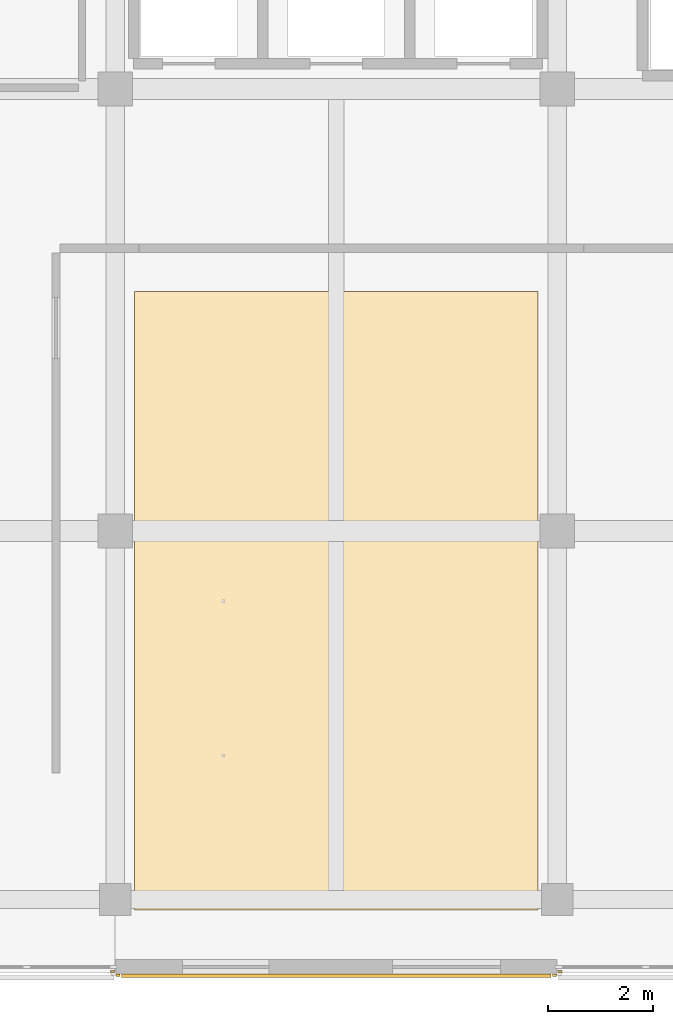
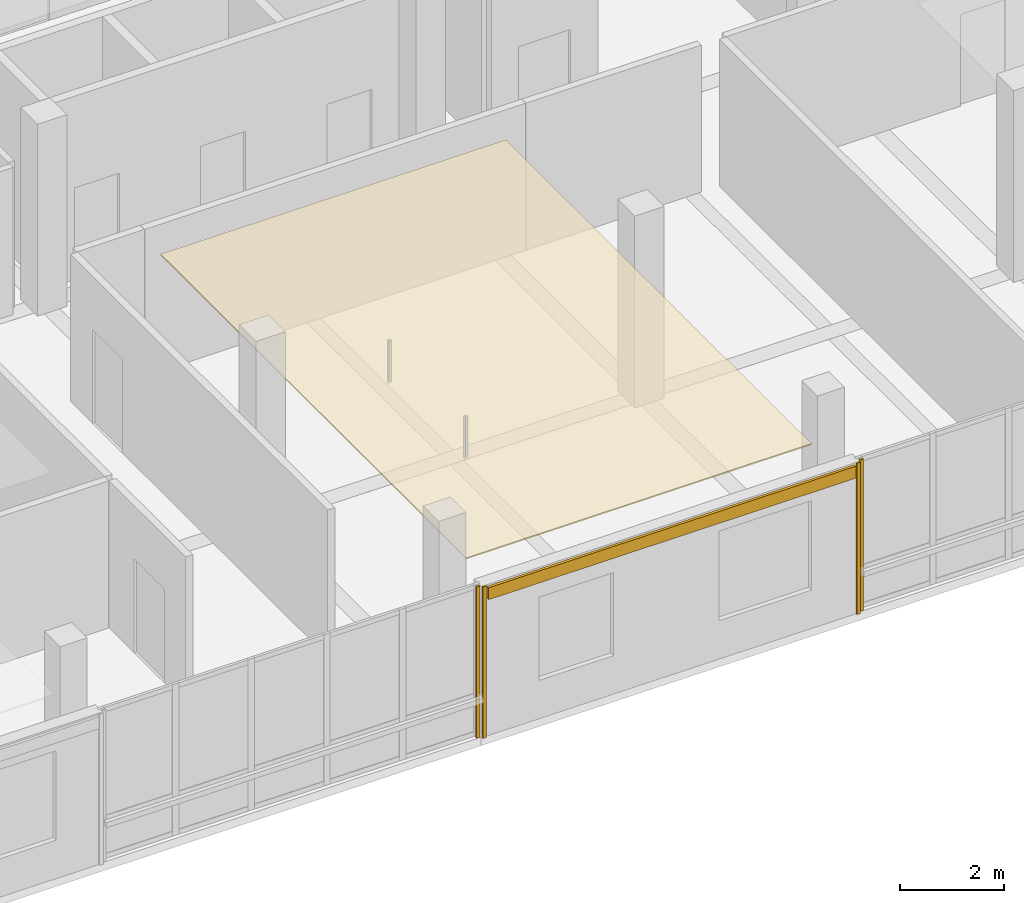
# One storey, part 23 of 30: 6 coverings.
"""IFC4 building model written with IfcOpenShell, lengths in metres."""

from ifc_helpers import new_model, si_unit, direction, frame, origin, origin_2d, place, context, subcontext, project, spatial, polyline, rectangle, outline, extrude, material, layer, layer_set, type_object, element, save


model = new_model("IFC4")

# Units and contexts
model_context = context("Model", 3, precision=1e-05, world=origin(), true_north=direction((0.0, 1.0)))
body_context = subcontext(model_context, "Body", "Model", "MODEL_VIEW")
ifc_project = project(units=[si_unit("LENGTHUNIT", "METRE"), si_unit("AREAUNIT", "SQUARE_METRE"), si_unit("VOLUMEUNIT", "CUBIC_METRE"), si_unit("PLANEANGLEUNIT", "RADIAN"), si_unit("MASSUNIT", "GRAM", prefix="KILO")], contexts=[model_context])

# Site, building, storey
site_placement = place(None, origin())
site = spatial("IfcSite", under=ifc_project, at=site_placement, CompositionType="ELEMENT")
building_placement = place(site_placement, origin())
building = spatial("IfcBuilding", under=site, at=building_placement, Name="Telukmera Botanical Conservatory", CompositionType="ELEMENT")
storey_placement = place(building_placement, frame((0.0, 0.0, 60.0)))
storey = spatial("IfcBuildingStorey", under=building, at=storey_placement, Name="L13", CompositionType="ELEMENT", Elevation=60.0)

# Coverings
ifc_material_1 = material(Name="Mineral fibre acoustic ceiling")
ifc_layer_1 = layer(ifc_material_1, 0.030029296875)
ifc_layer_set_1 = layer_set([ifc_layer_1], Name="Mineral fibre acoustic ceiling")
covering_type_1 = type_object("IfcCoveringType", Name="COV-CEIL-30", PredefinedType="CEILING", material=ifc_layer_set_1)
covering_1_placement = place(storey_placement, frame((0.0, 0.0, 3.320068359375)))
element("IfcCovering", 1, at=covering_1_placement, inside=storey, type_object=covering_type_1, Name="L13 Restoration Ecology Research Laboratory Suspended Acoustic Ceiling", PredefinedType="CEILING", context=body_context, shape_type="SweptSolid", body=[
    extrude(outline(polyline([(75.969970703125, 10.39990234375), (83.6298828125, 10.39990234375), (83.6298828125, 22.14990234375), (75.969970703125, 22.14990234375), (75.969970703125, 10.39990234375)])), origin(), (0.0, 0.0, 1.0), 0.030029296875),
])
ifc_material_2 = material(Name="Granite-faced precast concrete C40/50", Category="masonry")
ifc_layer_2 = layer(ifc_material_2, 0.0400390625)
ifc_layer_set_2 = layer_set([ifc_layer_2], Name="Granite-faced precast concrete C40/50")
covering_type_2 = type_object("IfcCoveringType", Name="Granite Precast Column Pier Reveal Casing", PredefinedType="CLADDING", material=ifc_layer_set_2)
for number, where, z_axis, x_axis, name in (
    (2, (75.548095703125, 9.22998046875, 0.0), (0.0, 0.0, 1.0), (1.0, 0.0, 0.0), "Granite Pier Reveal V4:L13:S2 R"),
    (3, (75.652099609375, 9.159912109375, 0.0), (0.0, 0.0, 1.0), (1.0, 0.0, 0.0), "Granite Pier Reveal V4:L13:S3 L"),
    (4, (83.947998046875, 9.159912109375, 0.0), (0.0, 0.0, 1.0), (1.0, 0.0, 0.0), "Granite Pier Reveal V4:L13:S3 R"),
    (5, (84.052001953125, 9.22998046875, 0.0), (0.0, 0.0, 1.0), (1.0, 0.0, 0.0), "Granite Pier Reveal V4:L13:S4 L"),
):
    element("IfcCovering", number, at=place(storey_placement, frame(where, z_axis=z_axis, x_axis=x_axis)), inside=storey, type_object=covering_type_2, Name=name, PredefinedType="CLADDING", context=body_context, shape_type="SweptSolid", body=[
        extrude(rectangle(XDim=0.080078125, YDim=0.0400390625, at=origin_2d()), origin(), (0.0, 0.0, 1.0), 3.550048828125),
    ])
ifc_material_3 = material(Name="Terracotta-faced precast concrete C40/50", Category="masonry")
ifc_layer_3 = layer(ifc_material_3, 0.06005859375)
ifc_layer_set_3 = layer_set([ifc_layer_3], Name="Terracotta-faced precast concrete C40/50")
covering_type_3 = type_object("IfcCoveringType", Name="Polychrome Terracotta Facade Band Cladding", PredefinedType="CLADDING", material=ifc_layer_set_3)
covering_2_placement = place(storey_placement, frame((79.800048828125, 9.14990234375, 3.22998046875), z_axis=(0.0, 0.0, 1.0), x_axis=(1.0, 0.0, 0.0)))
element("IfcCovering", 6, at=covering_2_placement, inside=storey, type_object=covering_type_3, Name="Polychrome Terracotta Band V4:L13:S3", PredefinedType="CLADDING", context=body_context, shape_type="SweptSolid", body=[
    extrude(rectangle(XDim=8.156005859375, YDim=0.06005859375, at=origin_2d()), origin(), (0.0, 0.0, 1.0), 0.280029296875),
])

save(model, "model.ifc")
